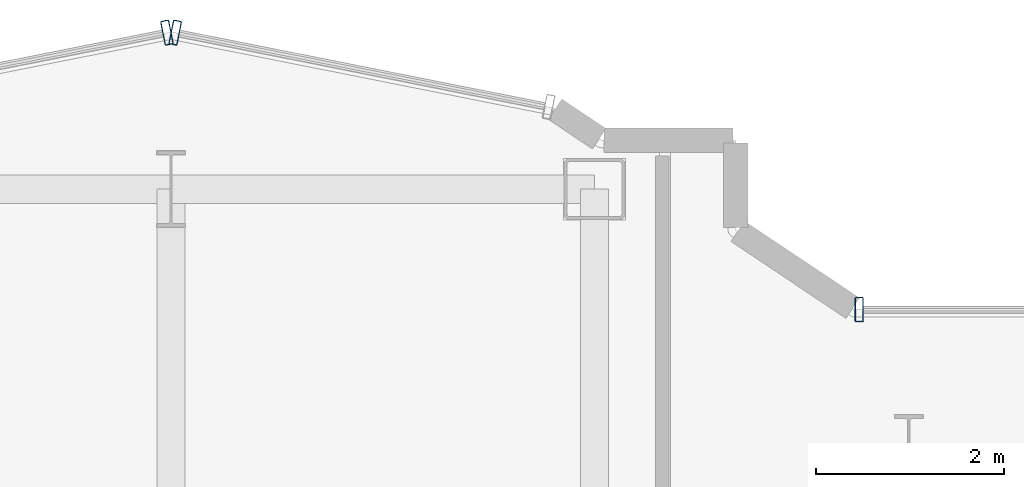
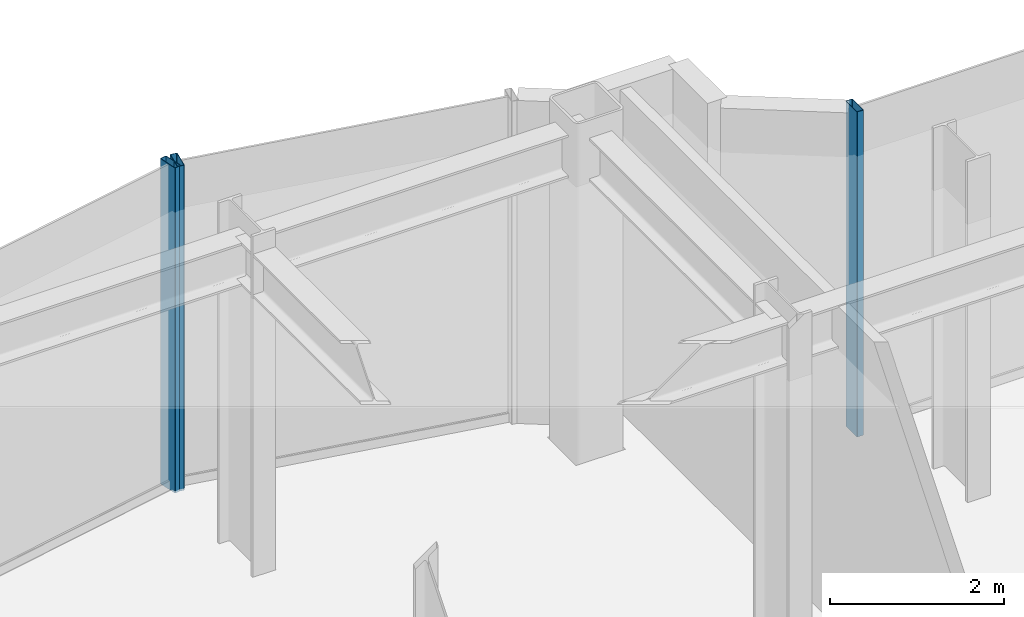
# One storey, part 10 of 20: 3 members, 3 elements without a shape of their own.
"""IFC4 building model written with IfcOpenShell, lengths in metres."""

from ifc_helpers import new_model, si_unit, direction, frame, origin, origin_2d, place, context, subcontext, project, spatial, hollow_rectangle, extrude, source, transform, mapped, material, layer, layer_set, material_profile, profile_set, type_object, element, aggregate, save


model = new_model("IFC4")

# Units and contexts
model_context = context("Model", 3, precision=1e-05, world=origin(), true_north=direction((0.0, 1.0)))
body_context = subcontext(model_context, "Body", "Model", "MODEL_VIEW")
ifc_project = project(units=[si_unit("LENGTHUNIT", "METRE"), si_unit("AREAUNIT", "SQUARE_METRE"), si_unit("VOLUMEUNIT", "CUBIC_METRE"), si_unit("PLANEANGLEUNIT", "RADIAN"), si_unit("MASSUNIT", "GRAM", prefix="KILO")], contexts=[model_context])

# Site, building, storey
site_placement = place(None, origin())
site = spatial("IfcSite", under=ifc_project, at=site_placement, CompositionType="ELEMENT")
building_placement = place(site_placement, origin())
building = spatial("IfcBuilding", under=site, at=building_placement, Name="Nefas-Gora Pilgrimage Tower", CompositionType="ELEMENT")
storey_placement = place(building_placement, frame((0.0, 0.0, 259.800048828125)))
storey = spatial("IfcBuildingStorey", under=building, at=storey_placement, Name="L65", CompositionType="ELEMENT", Elevation=259.800048828125)

# Curtain wall, member
ifc_material_1 = material(Name="Dark ceramic-fritted solar-control aluminium-glass curtain wall", Category="aluminium")
ifc_layer = layer(ifc_material_1, 0.219970703125)
ifc_layer_set = layer_set([ifc_layer], Name="Dark ceramic-fritted solar-control aluminium-glass curtain wall")
curtain_wall_type = type_object("IfcCurtainWallType", Name="CW-SYS-5", PredefinedType="NOTDEFINED", material=ifc_layer_set)
curtain_wall_1_placement = place(storey_placement, origin())
curtain_wall_1 = element("IfcCurtainWall", 1, at=curtain_wall_1_placement, inside=storey, type_object=curtain_wall_type, Name="L65 Unitised Curtain Wall CW5", PredefinedType="NOTDEFINED")
ifc_material_2 = material(Name="Anodised architectural aluminium", Category="aluminium")
ifc_material_profile = material_profile(ifc_material_2, hollow_rectangle(XDim=0.090087890625, YDim=0.260009765625, WallThickness=0.006103515625, InnerFilletRadius=0.006103515625, OuterFilletRadius=0.011962890625, at=origin_2d()), Name="ALU MULLION 90x260")
ifc_profile_set = profile_set([ifc_material_profile], Name="Anodised architectural aluminium")
member_type = type_object("IfcMemberType", Name="CWM-MUL-5", PredefinedType="MULLION", material=ifc_profile_set)
shared_shape = source(origin(), body_context, "Body", "SweptSolid", [
    extrude(hollow_rectangle(XDim=0.090087890625, YDim=0.260009765625, WallThickness=0.006103515625, InnerFilletRadius=0.006103515625, OuterFilletRadius=0.011962890625, at=origin_2d()), origin(), (0.0, 0.0, 1.0), 4.550048828125),
])
member_1_placement = place(storey_placement, frame((5.06298828125, 21.219970703125, 0.0), z_axis=(0.0, 0.0, 1.0), x_axis=(-1.0, 0.0, 0.0)))
member_1 = element("IfcMember", 2, at=member_1_placement, type_object=member_type, Name="CW5 Mullion 2", PredefinedType="MULLION", context=body_context, shape_type="MappedRepresentation", body=[
    mapped(shared_shape, transform((0.0, 0.0, 0.0), x_axis=(1.0, 0.0, 0.0), y_axis=(0.0, 1.0, 0.0), z_axis=(0.0, 0.0, 1.0), scale=1.0)),
])
aggregate(curtain_wall_1, [member_1])

curtain_wall_2_placement = place(storey_placement, origin())
curtain_wall_2 = element("IfcCurtainWall", 3, at=curtain_wall_2_placement, inside=storey, type_object=curtain_wall_type, Name="L65 Unitised Curtain Wall CW5", PredefinedType="NOTDEFINED")
member_2_placement = place(storey_placement, frame((-2.205810546875, 24.16357421875, 0.0), z_axis=(0.0, 0.0, 1.0), x_axis=(-0.980782896852, 0.195102304554, 0.0)))
member_2 = element("IfcMember", 4, at=member_2_placement, type_object=member_type, Name="CW5 Mullion 2", PredefinedType="MULLION", context=body_context, shape_type="MappedRepresentation", body=[
    mapped(shared_shape, transform((0.0, 0.0, 0.0), x_axis=(1.0, 0.0, 0.0), y_axis=(0.0, 1.0, 0.0), z_axis=(0.0, 0.0, 1.0), scale=1.0)),
])
aggregate(curtain_wall_2, [member_2])

curtain_wall_3_placement = place(storey_placement, origin())
curtain_wall_3 = element("IfcCurtainWall", 5, at=curtain_wall_3_placement, inside=storey, type_object=curtain_wall_type, Name="L65 Unitised Curtain Wall CW5", PredefinedType="NOTDEFINED")
member_3_placement = place(storey_placement, frame((-2.294189453125, 24.16357421875, 0.0), z_axis=(0.0, 0.0, 1.0), x_axis=(-0.980782896852, -0.195102304554, 0.0)))
member_3 = element("IfcMember", 6, at=member_3_placement, type_object=member_type, Name="CW5 Mullion 1", PredefinedType="MULLION", context=body_context, shape_type="MappedRepresentation", body=[
    mapped(shared_shape, transform((0.0, 0.0, 0.0), x_axis=(1.0, 0.0, 0.0), y_axis=(0.0, 1.0, 0.0), z_axis=(0.0, 0.0, 1.0), scale=1.0)),
])
aggregate(curtain_wall_3, [member_3])

save(model, "model.ifc")
